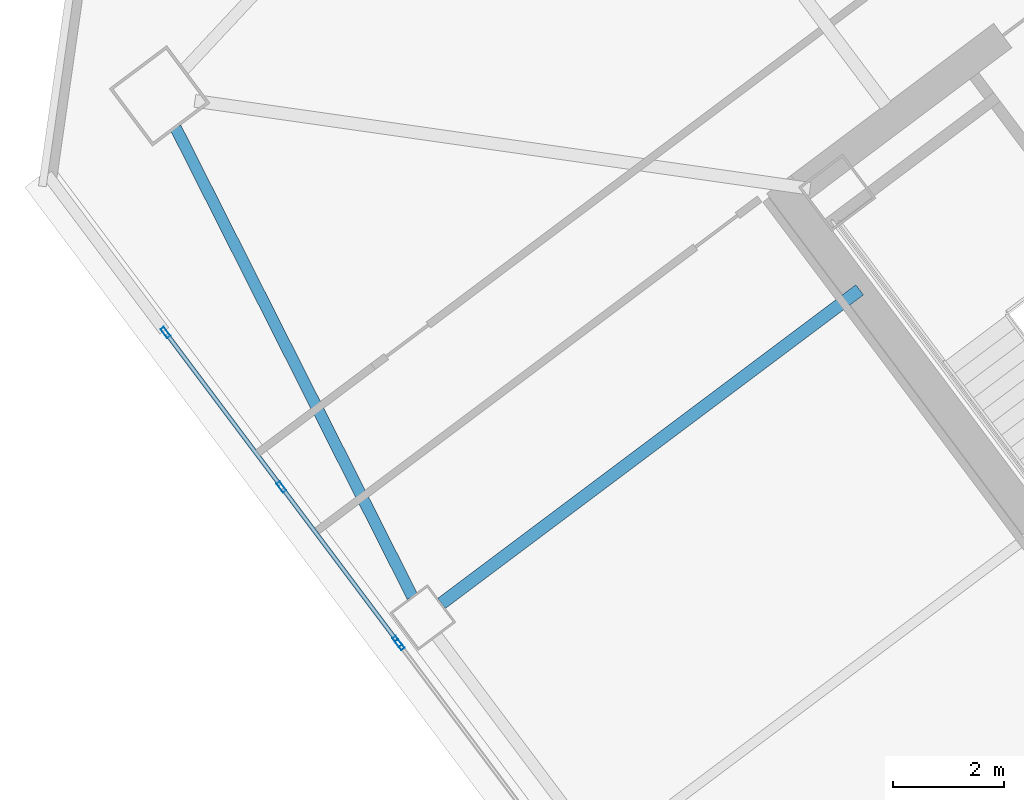
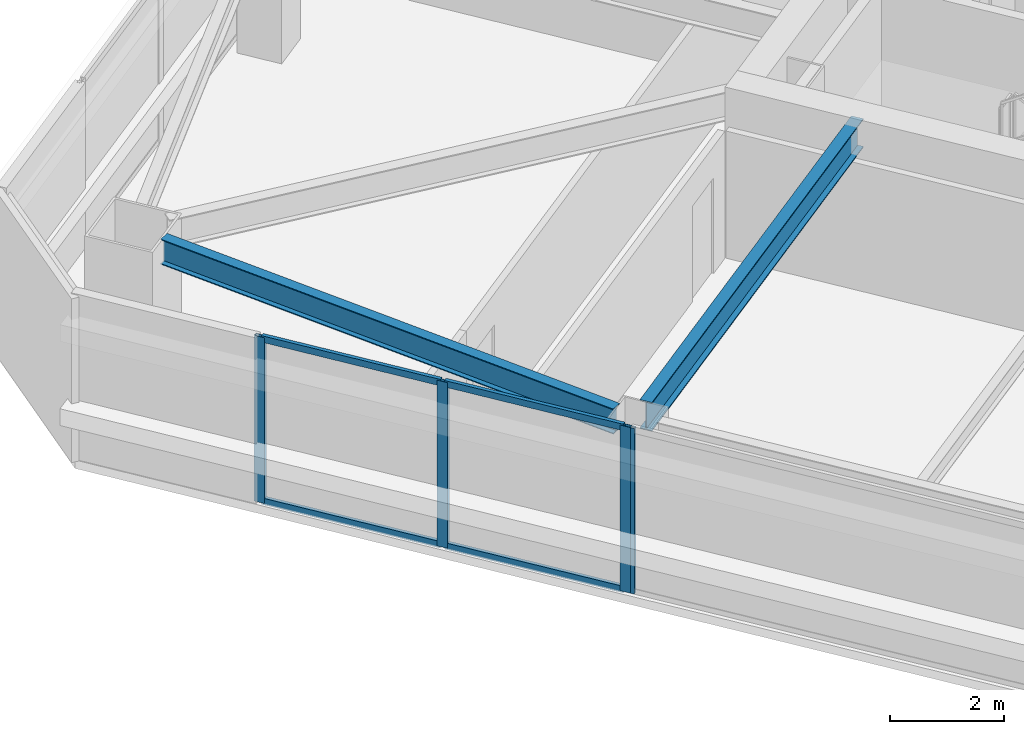
# One storey, part 20 of 44: 8 members, 2 beams, 2 elements without a shape of their own.
"""IFC4 building model written with IfcOpenShell, lengths in metres."""

import ifcopenshell
import ifcopenshell.guid

model = None  # the IFC model being written
_history = None  # IfcOwnerHistory: only IFC2X3 demands one
_inside = {}  # id of a spatial element -> (the spatial element, [elements in it])
_under = {}  # id of a project, library or spatial element -> (it, [spatial elements below it])
_declared = {}  # id of a project -> (the project, [libraries it declares])
_typed = {}  # id of a type object -> (the type object, [elements of that type])
_made_of = {}  # id of a material, layer set ... -> (it, [elements and type objects made of it])


def new_model(schema):
    """Start an empty IFC model of exactly this schema.

    Asked for "IFC4X3", IfcOpenShell would pick the latest addendum, in which some entities
    have other attributes; the version numbers below select the first issue.
    IFC2X3 requires an IfcOwnerHistory on every rooted entity: one is made here for all.
    """
    global model, _history
    if schema == "IFC4X3":
        model = ifcopenshell.file(schema_version=(4, 3, 0, 0))
    else:
        model = ifcopenshell.file(schema=schema)
    _inside.clear()
    _under.clear()
    _declared.clear()
    _typed.clear()
    _made_of.clear()
    _history = None
    if model.schema == "IFC2X3":
        org = make("IfcOrganization", Name="unknown")
        user = make(
            "IfcPersonAndOrganization",
            ThePerson=make("IfcPerson", FamilyName="unknown"),
            TheOrganization=org,
        )
        app = make(
            "IfcApplication",
            ApplicationDeveloper=org,
            Version="unknown",
            ApplicationFullName="unknown",
            ApplicationIdentifier="unknown",
        )
        _history = make(
            "IfcOwnerHistory",
            OwningUser=user,
            OwningApplication=app,
            ChangeAction="ADDED",
            CreationDate=0,
        )
    return model


def make(cls, **values):
    """One entity of the class cls with the attributes given. An attribute that is None is left unset."""
    return model.create_entity(
        cls, **{name: value for name, value in values.items() if value is not None}
    )


def rooted(cls, **values):
    """An entity with a GlobalId (a new one), such as an element, a storey or a relation."""
    return make(cls, GlobalId=ifcopenshell.guid.new(), OwnerHistory=_history, **values)


def si_unit(unit_type, name, prefix=None):
    """IfcSIUnit, for example si_unit("LENGTHUNIT", "METRE", prefix="MILLI")."""
    return make("IfcSIUnit", UnitType=unit_type, Prefix=prefix, Name=name)


def assignment(units):
    """IfcUnitAssignment: the units of a project."""
    return None if units is None else make("IfcUnitAssignment", Units=units)


def point(xyz):
    """IfcCartesianPoint."""
    return None if xyz is None else make("IfcCartesianPoint", Coordinates=xyz)


def direction(xyz):
    """IfcDirection."""
    return None if xyz is None else make("IfcDirection", DirectionRatios=xyz)


def frame(location, z_axis=None, x_axis=None):
    """IfcAxis2Placement3D, a coordinate frame: its origin and axes. An axis left out is left unset."""
    return make(
        "IfcAxis2Placement3D",
        Location=point(location),
        Axis=direction(z_axis),
        RefDirection=direction(x_axis),
    )


def frame_2d(location, x_axis=None):
    """IfcAxis2Placement2D, a coordinate frame in the plane: its origin and x axis."""
    return make(
        "IfcAxis2Placement2D", Location=point(location), RefDirection=direction(x_axis)
    )


def origin():
    """The frame at (0, 0, 0) with its axes left unset."""
    return frame((0.0, 0.0, 0.0))


def origin_2d():
    """The frame at (0, 0) in the plane with its x axis left unset."""
    return frame_2d((0.0, 0.0))


def place(relative_to, where):
    """IfcLocalPlacement: puts the frame where relative to a parent placement (None: the world)."""
    return make(
        "IfcLocalPlacement", PlacementRelTo=relative_to, RelativePlacement=where
    )


def context(
    kind, dimensions, precision=None, world=None, true_north=None, identifier=None
):
    """IfcGeometricRepresentationContext, for example the 3D "Model" context."""
    return make(
        "IfcGeometricRepresentationContext",
        ContextIdentifier=identifier,
        ContextType=kind,
        CoordinateSpaceDimension=dimensions,
        Precision=precision,
        WorldCoordinateSystem=world,
        TrueNorth=true_north,
    )


def subcontext(parent, identifier, kind, view, scale=None):
    """IfcGeometricRepresentationSubContext, for example "Body" below "Model"."""
    return make(
        "IfcGeometricRepresentationSubContext",
        ContextIdentifier=identifier,
        ContextType=kind,
        ParentContext=parent,
        TargetScale=scale,
        TargetView=view,
    )


def project(units=None, contexts=None):
    """IfcProject with its units and contexts."""
    return rooted(
        "IfcProject",
        Name="project",
        RepresentationContexts=contexts,
        UnitsInContext=assignment(units),
    )


def spatial(cls, under=None, at=None, **own):
    """A site, building, storey or space (cls), placed at a placement, below another one or the project."""
    s = rooted(cls, ObjectPlacement=at, **own)
    if under is not None:
        _under.setdefault(under.id(), (under, []))[1].append(s)
    return s


def profile(cls, at=None, kind="AREA", **sizes):
    """A parametric profile (cls). Its sizes go by their IFC names, for example OverallWidth=200.0."""
    return make(cls, ProfileType=kind, Position=at, **sizes)


def hollow_rectangle(**sizes):
    """IfcRectangleHollowProfileDef."""
    return profile("IfcRectangleHollowProfileDef", **sizes)


def i_section(**sizes):
    """IfcIShapeProfileDef."""
    return profile("IfcIShapeProfileDef", **sizes)


def extrude(swept, where, along, depth):
    """IfcExtrudedAreaSolid: the profile swept, set in the frame where, extruded along a direction by depth."""
    return make(
        "IfcExtrudedAreaSolid",
        SweptArea=swept,
        Position=where,
        ExtrudedDirection=direction(along),
        Depth=depth,
    )


def shape(context_of_items, identifier, shape_type, items):
    """IfcShapeRepresentation: the items that make up one representation, for example the "Body"."""
    return make(
        "IfcShapeRepresentation",
        ContextOfItems=context_of_items,
        RepresentationIdentifier=identifier,
        RepresentationType=shape_type,
        Items=items,
    )


def material(Name=None, Category=None):
    """IfcMaterial."""
    return make("IfcMaterial", Name=Name, Category=Category)


def material_profile(
    of_material, cross_section, Name=None, Category=None, Priority=None
):
    """IfcMaterialProfile: a cross section and its material."""
    return make(
        "IfcMaterialProfile",
        Name=Name,
        Material=of_material,
        Profile=cross_section,
        Priority=Priority,
        Category=Category,
    )


def profile_set(profiles, Name=None, composite=None):
    """IfcMaterialProfileSet."""
    return make(
        "IfcMaterialProfileSet",
        Name=Name,
        MaterialProfiles=profiles,
        CompositeProfile=composite,
    )


def made_of(thing, what):
    """Note that an element or type object is made of a material, layer set ...; save() writes the relation."""
    if what is not None:
        _made_of.setdefault(what.id(), (what, []))[1].append(thing)
    return thing


def type_object(cls, material=None, **own):
    """A type object (cls), such as IfcWallType, which elements share."""
    return made_of(rooted(cls, **own), material)


def element(
    cls,
    number,
    at=None,
    inside=None,
    cuts=None,
    type_object=None,
    material=None,
    context=None,
    identifier="Body",
    shape_type=None,
    held_by="IfcProductDefinitionShape",
    body=None,
    shapes=None,
    **own,
):
    """One element of the class cls, such as IfcWall. Its Tag is "e" and its number.

    at: its placement. inside: the storey or other place that contains it. cuts: it is an
    opening in that element (IfcRelVoidsElement). A single representation is given by context,
    identifier, shape_type and body (its items); several are given by shapes. held_by: the class
    of the entity that holds the representations. save() writes the other relations.
    """
    e = rooted(cls, Tag="e%d" % number, ObjectPlacement=at, **own)
    if body is not None:
        shapes = [shape(context, identifier, shape_type, body)]
    if shapes is not None:
        e.Representation = make(held_by, Representations=shapes)
    if inside is not None:
        _inside.setdefault(inside.id(), (inside, []))[1].append(e)
    if cuts is not None:
        rooted(
            "IfcRelVoidsElement", RelatingBuildingElement=cuts, RelatedOpeningElement=e
        )
    if type_object is not None:
        _typed.setdefault(type_object.id(), (type_object, []))[1].append(e)
    return made_of(e, material)


def aggregate(whole, parts):
    """IfcRelAggregates: a whole, such as a stair, and the parts it consists of."""
    return rooted("IfcRelAggregates", RelatingObject=whole, RelatedObjects=parts)


def save(model, path):
    """Write the relations noted so far, then the file.

    IfcRelAggregates (storeys below a building ...), IfcRelContainedInSpatialStructure (elements
    in a storey), IfcRelDefinesByType, IfcRelAssociatesMaterial and IfcRelDeclares: one each for
    every whole, place, type object, material and project.
    """
    for whole, parts in _under.values():
        aggregate(whole, parts)
    for where, things in _inside.values():
        rooted(
            "IfcRelContainedInSpatialStructure",
            RelatedElements=things,
            RelatingStructure=where,
        )
    for kind, things in _typed.values():
        rooted("IfcRelDefinesByType", RelatedObjects=things, RelatingType=kind)
    for what, things in _made_of.values():
        rooted("IfcRelAssociatesMaterial", RelatedObjects=things, RelatingMaterial=what)
    for by, libraries in _declared.values():
        rooted("IfcRelDeclares", RelatingContext=by, RelatedDefinitions=libraries)
    model.write(path)


model = new_model("IFC4")

# Units and contexts
model_context = context("Model", 3, precision=1e-05, world=origin(), true_north=direction((0.0, 1.0)))
body_context = subcontext(model_context, "Body", "Model", "MODEL_VIEW")
ifc_project = project(units=[si_unit("LENGTHUNIT", "METRE"), si_unit("AREAUNIT", "SQUARE_METRE"), si_unit("VOLUMEUNIT", "CUBIC_METRE"), si_unit("PLANEANGLEUNIT", "RADIAN"), si_unit("MASSUNIT", "GRAM", prefix="KILO")], contexts=[model_context])

# Site, building, storey
site_placement = place(None, origin())
site = spatial("IfcSite", under=ifc_project, at=site_placement, CompositionType="ELEMENT")
building_placement = place(site_placement, origin())
building = spatial("IfcBuilding", under=site, at=building_placement, Name="Tashvorn Skyway Center", CompositionType="ELEMENT")
storey_placement = place(building_placement, frame((0.0, 0.0, 149.89990234375)))
storey = spatial("IfcBuildingStorey", under=building, at=storey_placement, Name="L40", CompositionType="ELEMENT", Elevation=149.89990234375)

# Beams
ifc_material_1 = material(Name="Steel ASTM A992 Grade 50", Category="steel")
ifc_material_profile_1 = material_profile(ifc_material_1, i_section(OverallWidth=0.22998046875, OverallDepth=0.616943359375, WebThickness=0.01318359375, FlangeThickness=0.022216796875, at=origin_2d()), Name="W24X94")
ifc_profile_set_1 = profile_set([ifc_material_profile_1], Name="Steel ASTM A992 Grade 50")
beam_type_1 = type_object("IfcBeamType", Name="BM-BEAM-W24X94", PredefinedType="BEAM", material=ifc_profile_set_1)
beam_1_placement = place(storey_placement, frame((96.97607421875, 25.98193359375, 3.0615234375), z_axis=(0.799984498661, 0.600020667896, 0.0), x_axis=(-0.600020667896, 0.799984498661, 0.0)))
element("IfcBeam", 1, at=beam_1_placement, inside=storey, type_object=beam_type_1, Name="Tower 2 L40 Primary Floor Girder FC-W1", PredefinedType="BEAM", context=body_context, shape_type="SweptSolid", body=[
    extrude(i_section(OverallWidth=0.22998046875, OverallDepth=0.616943359375, WebThickness=0.01318359375, FlangeThickness=0.022216796875, at=origin_2d()), origin(), (0.0, 0.0, 1.0), 9.449951171875),
])
ifc_material_profile_2 = material_profile(ifc_material_1, i_section(OverallWidth=0.2109375, OverallDepth=0.5390625, WebThickness=0.01171875, FlangeThickness=0.018798828125, at=origin_2d()), Name="W21X73")
ifc_profile_set_2 = profile_set([ifc_material_profile_2], Name="Steel ASTM A992 Grade 50")
beam_type_2 = type_object("IfcBeamType", Name="BM-SPANDREL-W21X73", PredefinedType="SPANDREL", material=ifc_profile_set_2)
beam_2_placement = place(storey_placement, frame((92.170654296875, 34.584228515625, 3.1005859375), z_axis=(0.450613543136, -0.892719124217, 0.0), x_axis=(0.892719124217, 0.450613543136, 0.0)))
element("IfcBeam", 2, at=beam_2_placement, inside=storey, type_object=beam_type_2, Name="Tower 2 L40 Spandrel Beam 10", PredefinedType="SPANDREL", context=body_context, shape_type="SweptSolid", body=[
    extrude(i_section(OverallWidth=0.2109375, OverallDepth=0.5390625, WebThickness=0.01171875, FlangeThickness=0.018798828125, at=origin_2d()), origin(), (0.0, 0.0, 1.0), 9.498291015625),
])

# Curtain wall, member
ifc_material_2 = material(Name="Thermally broken bronze-anodized aluminium 6063-T6", Category="aluminium")
curtain_wall_type = type_object("IfcCurtainWallType", Name="CW-CW-Z3", PredefinedType="NOTDEFINED", material=ifc_material_2)
curtain_wall_1_placement = place(storey_placement, origin())
curtain_wall_1 = element("IfcCurtainWall", 3, at=curtain_wall_1_placement, inside=storey, type_object=curtain_wall_type, Name="Tower 2 L40 West Unitised Curtain Wall Glazing Group 2", PredefinedType="NOTDEFINED")
ifc_material_profile_3 = material_profile(ifc_material_2, hollow_rectangle(XDim=0.074951171875, YDim=0.199951171875, WallThickness=0.00439453125, at=origin_2d()), Name="ALU-MULL-75x200")
ifc_profile_set_3 = profile_set([ifc_material_profile_3], Name="Thermally broken bronze-anodized aluminium 6063-T6")
member_type_1 = type_object("IfcMemberType", Name="CWM-CW-Z3", PredefinedType="MULLION", material=ifc_profile_set_3)
member_1_placement = place(storey_placement, frame((96.222412109375, 25.23681640625, 0.0), z_axis=(0.0, 0.0, 1.0), x_axis=(-0.800002266987, -0.599996977339, 0.0)))
member_1 = element("IfcMember", 4, at=member_1_placement, type_object=member_type_1, Name="CW-Z3 mullion 2", PredefinedType="MULLION", context=body_context, shape_type="SweptSolid", body=[
    extrude(hollow_rectangle(XDim=0.074951171875, YDim=0.199951171875, WallThickness=0.00439453125, at=origin_2d()), origin(), (0.0, 0.0, 1.0), 3.550048828125),
])
aggregate(curtain_wall_1, [member_1])

# Curtain wall, members
curtain_wall_2_placement = place(storey_placement, origin())
curtain_wall_2 = element("IfcCurtainWall", 5, at=curtain_wall_2_placement, inside=storey, type_object=curtain_wall_type, Name="Tower 2 L40 West Unitised Curtain Wall Glazing Group 3", PredefinedType="NOTDEFINED")
member_2_placement = place(storey_placement, frame((96.177490234375, 25.296630859375, 0.0), z_axis=(0.0, 0.0, 1.0), x_axis=(-0.799996599484, -0.600004533995, 0.0)))
member_2 = element("IfcMember", 6, at=member_2_placement, type_object=member_type_1, Name="CW-Z3 mullion 1", PredefinedType="MULLION", context=body_context, shape_type="SweptSolid", body=[
    extrude(hollow_rectangle(XDim=0.074951171875, YDim=0.199951171875, WallThickness=0.00439453125, at=origin_2d()), origin(), (0.0, 0.0, 1.0), 3.550048828125),
])
member_3_placement = place(storey_placement, frame((94.082763671875, 28.08984375, 0.0), z_axis=(0.0, 0.0, 1.0), x_axis=(-0.799996599484, -0.600004533995, 0.0)))
member_3 = element("IfcMember", 7, at=member_3_placement, type_object=member_type_1, Name="CW-Z3 mullion 2", PredefinedType="MULLION", context=body_context, shape_type="SweptSolid", body=[
    extrude(hollow_rectangle(XDim=0.074951171875, YDim=0.199951171875, WallThickness=0.00439453125, at=origin_2d()), origin(), (0.0, 0.0, 1.0), 3.550048828125),
])
member_4_placement = place(storey_placement, frame((91.98779296875, 30.8828125, 0.0), z_axis=(0.0, 0.0, 1.0), x_axis=(-0.799996599484, -0.600004533995, 0.0)))
member_4 = element("IfcMember", 8, at=member_4_placement, type_object=member_type_1, Name="CW-Z3 mullion 3", PredefinedType="MULLION", context=body_context, shape_type="SweptSolid", body=[
    extrude(hollow_rectangle(XDim=0.074951171875, YDim=0.199951171875, WallThickness=0.00439453125, at=origin_2d()), origin(), (0.0, 0.0, 1.0), 3.550048828125),
])
ifc_material_profile_4 = material_profile(ifc_material_2, hollow_rectangle(XDim=0.074951171875, YDim=0.139892578125, WallThickness=0.004150390625, at=origin_2d()), Name="ALU-TRAN-75x140")
ifc_profile_set_4 = profile_set([ifc_material_profile_4], Name="Thermally broken bronze-anodized aluminium 6063-T6")
member_type_2 = type_object("IfcMemberType", Name="CWT-CW-Z3", PredefinedType="USERDEFINED", material=ifc_profile_set_4)
member_5_placement = place(storey_placement, frame((96.155029296875, 25.32666015625, 0.03759765625), z_axis=(-0.59998856614, 0.800008575267, 0.0), x_axis=(-0.800008575267, -0.59998856614, 0.0)))
member_5 = element("IfcMember", 9, at=member_5_placement, type_object=member_type_2, Name="CW-Z3 transom 1.1", ObjectType="TRANSOM", PredefinedType="USERDEFINED", context=body_context, shape_type="SweptSolid", body=[
    extrude(hollow_rectangle(XDim=0.074951171875, YDim=0.139892578125, WallThickness=0.004150390625, at=origin_2d()), origin(), (0.0, 0.0, 1.0), 3.41650390625),
])
member_6_placement = place(storey_placement, frame((96.155029296875, 25.32666015625, 3.5126953125), z_axis=(-0.59998856614, 0.800008575267, 0.0), x_axis=(-0.800008575267, -0.59998856614, 0.0)))
member_6 = element("IfcMember", 10, at=member_6_placement, type_object=member_type_2, Name="CW-Z3 transom 1.2", ObjectType="TRANSOM", PredefinedType="USERDEFINED", context=body_context, shape_type="SweptSolid", body=[
    extrude(hollow_rectangle(XDim=0.074951171875, YDim=0.139892578125, WallThickness=0.004150390625, at=origin_2d()), origin(), (0.0, 0.0, 1.0), 3.41650390625),
])
member_7_placement = place(storey_placement, frame((94.06005859375, 28.119873046875, 0.03759765625), z_axis=(-0.600022868659, 0.799982847995, 0.0), x_axis=(-0.799982847995, -0.600022868659, 0.0)))
member_7 = element("IfcMember", 11, at=member_7_placement, type_object=member_type_2, Name="CW-Z3 transom 2.1", ObjectType="TRANSOM", PredefinedType="USERDEFINED", context=body_context, shape_type="SweptSolid", body=[
    extrude(hollow_rectangle(XDim=0.074951171875, YDim=0.139892578125, WallThickness=0.004150390625, at=origin_2d()), origin(), (0.0, 0.0, 1.0), 3.416259765625),
])
member_8_placement = place(storey_placement, frame((94.06005859375, 28.119873046875, 3.5126953125), z_axis=(-0.600022868659, 0.799982847995, 0.0), x_axis=(-0.799982847995, -0.600022868659, 0.0)))
member_8 = element("IfcMember", 12, at=member_8_placement, type_object=member_type_2, Name="CW-Z3 transom 2.2", ObjectType="TRANSOM", PredefinedType="USERDEFINED", context=body_context, shape_type="SweptSolid", body=[
    extrude(hollow_rectangle(XDim=0.074951171875, YDim=0.139892578125, WallThickness=0.004150390625, at=origin_2d()), origin(), (0.0, 0.0, 1.0), 3.416259765625),
])
aggregate(curtain_wall_2, [member_2, member_3, member_4, member_5, member_6, member_7, member_8])

save(model, "model.ifc")
